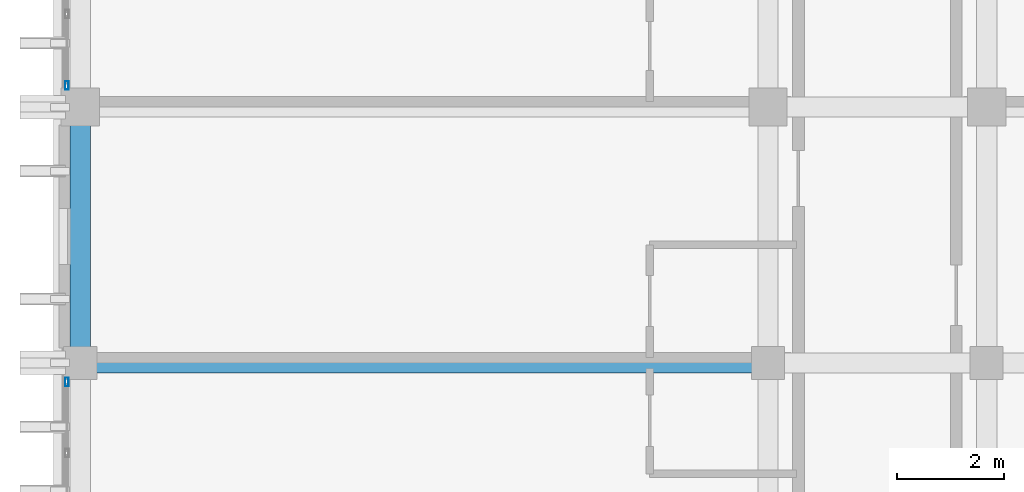
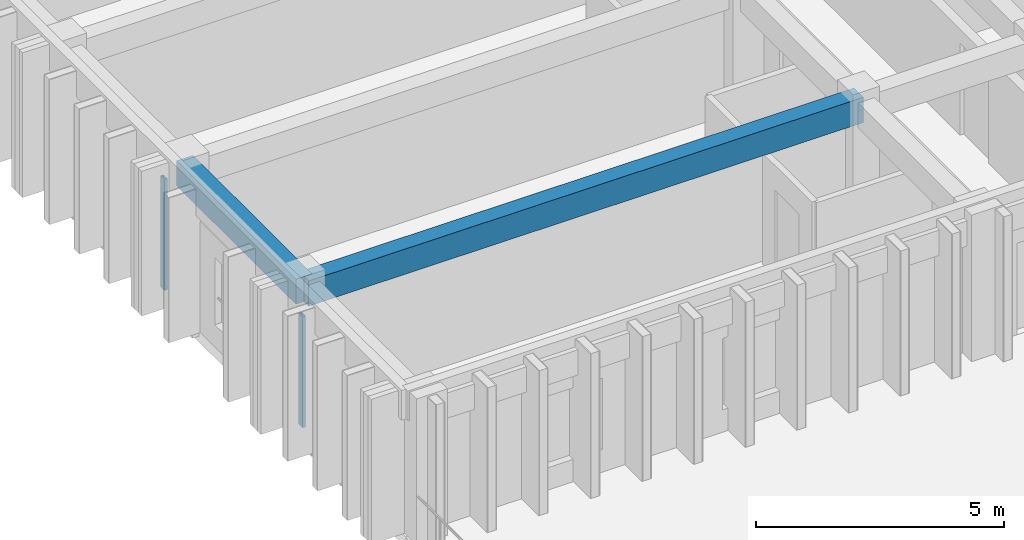
# One storey, part 4 of 59: 2 beams, 2 members, 2 elements without a shape of their own.
"""IFC4 building model written with IfcOpenShell, lengths in metres."""

from ifc_helpers import new_model, si_unit, direction, frame, origin, origin_2d, place, context, subcontext, project, spatial, rectangle, hollow_rectangle, extrude, material, layer, layer_set, material_profile, profile_set, type_object, element, aggregate, save


model = new_model("IFC4")

# Units and contexts
model_context = context("Model", 3, precision=1e-05, world=origin(), true_north=direction((0.0, 1.0)))
body_context = subcontext(model_context, "Body", "Model", "MODEL_VIEW")
ifc_project = project(units=[si_unit("LENGTHUNIT", "METRE"), si_unit("AREAUNIT", "SQUARE_METRE"), si_unit("VOLUMEUNIT", "CUBIC_METRE"), si_unit("PLANEANGLEUNIT", "RADIAN"), si_unit("MASSUNIT", "GRAM", prefix="KILO")], contexts=[model_context])

# Site, building, storey
site_placement = place(None, origin())
site = spatial("IfcSite", under=ifc_project, at=site_placement, CompositionType="ELEMENT")
building_placement = place(site_placement, origin())
building = spatial("IfcBuilding", under=site, at=building_placement, Name="Nakhvara Creek Congress Hotel", CompositionType="ELEMENT")
storey_placement = place(building_placement, frame((0.0, 0.0, 31.800048828125)))
storey = spatial("IfcBuildingStorey", under=building, at=storey_placement, Name="L07", CompositionType="ELEMENT", Elevation=31.800048828125)

# Beams
ifc_material_1 = material(Name="Concrete C40/50", Category="concrete")
ifc_material_profile_1 = material_profile(ifc_material_1, rectangle(XDim=0.3798828125, YDim=0.6201171875, at=origin_2d()), Name="RC-BM 380x620", Category="LoadBearing")
ifc_profile_set_1 = profile_set([ifc_material_profile_1], Name="Concrete C40/50")
beam_type = type_object("IfcBeamType", Name="BM-RC-380X620", PredefinedType="BEAM", material=ifc_profile_set_1)
beam_1_placement = place(storey_placement, frame((149.449951171875, 52.800048828125, 3.050048828125), z_axis=(0.0, 1.0, 0.0), x_axis=(-1.0, 0.0, 0.0)))
element("IfcBeam", 1, at=beam_1_placement, inside=storey, type_object=beam_type, Name="Beam B10-L07-2321", PredefinedType="BEAM", context=body_context, shape_type="SweptSolid", body=[
    extrude(rectangle(XDim=0.3798828125, YDim=0.6201171875, at=origin_2d()), origin(), (0.0, 0.0, 1.0), 4.800048828125),
])
beam_2_placement = place(storey_placement, frame((149.449951171875, 52.800048828125, 3.050048828125), z_axis=(1.0, 0.0, 0.0), x_axis=(0.0, 1.0, 0.0)))
element("IfcBeam", 2, at=beam_2_placement, inside=storey, type_object=beam_type, Name="Beam B10-L07-2407", PredefinedType="BEAM", context=body_context, shape_type="SweptSolid", body=[
    extrude(rectangle(XDim=0.3798828125, YDim=0.6201171875, at=origin_2d()), origin(), (0.0, 0.0, 1.0), 12.900146484375),
])

# Curtain wall, member
ifc_material_2 = material(Name="Bronze-anodised aluminium AW-6063-T6 and double-silver low-E glass", Category="aluminium")
ifc_layer = layer(ifc_material_2, 0.199951171875)
ifc_layer_set = layer_set([ifc_layer], Name="Bronze-anodised aluminium AW-6063-T6 and double-silver low-E glass")
curtain_wall_type = type_object("IfcCurtainWallType", Name="CW-HTL-UNIT", PredefinedType="USERDEFINED", material=ifc_layer_set)
curtain_wall_1_placement = place(storey_placement, origin())
curtain_wall_1 = element("IfcCurtainWall", 3, at=curtain_wall_1_placement, inside=storey, type_object=curtain_wall_type, Name="Curtain Wall CW254", ObjectType="UNITISED", PredefinedType="USERDEFINED")
ifc_material_3 = material(Name="Bronze-anodised aluminium AW-6063-T6", Category="aluminium")
ifc_material_profile_2 = material_profile(ifc_material_3, hollow_rectangle(XDim=0.06494140625, YDim=0.159912109375, WallThickness=0.00390625, at=origin_2d()), Name="ALU-MULL 65x160x4", Category="LoadBearing")
ifc_profile_set_2 = profile_set([ifc_material_profile_2], Name="Bronze-anodised aluminium AW-6063-T6")
member_type = type_object("IfcMemberType", Name="CW-MULL-160", PredefinedType="MULLION", material=ifc_profile_set_2)
member_1_placement = place(storey_placement, frame((149.199951171875, 52.4423828125, 0.0), z_axis=(0.0, 0.0, 1.0), x_axis=(-1.0, 0.0, 0.0)))
member_1 = element("IfcMember", 4, at=member_1_placement, type_object=member_type, Name="CW254 mullion 4", PredefinedType="MULLION", context=body_context, shape_type="SweptSolid", body=[
    extrude(hollow_rectangle(XDim=0.06494140625, YDim=0.159912109375, WallThickness=0.00390625, at=origin_2d()), origin(), (0.0, 0.0, 1.0), 2.73193359375),
])
aggregate(curtain_wall_1, [member_1])

curtain_wall_2_placement = place(storey_placement, origin())
curtain_wall_2 = element("IfcCurtainWall", 5, at=curtain_wall_2_placement, inside=storey, type_object=curtain_wall_type, Name="Curtain Wall CW256", ObjectType="UNITISED", PredefinedType="USERDEFINED")
member_2_placement = place(storey_placement, frame((149.199951171875, 58.007568359375, 0.0), z_axis=(0.0, 0.0, 1.0), x_axis=(-1.0, 0.0, 0.0)))
member_2 = element("IfcMember", 6, at=member_2_placement, type_object=member_type, Name="CW256 mullion 1", PredefinedType="MULLION", context=body_context, shape_type="SweptSolid", body=[
    extrude(hollow_rectangle(XDim=0.06494140625, YDim=0.159912109375, WallThickness=0.00390625, at=origin_2d()), origin(), (0.0, 0.0, 1.0), 2.73193359375),
])
aggregate(curtain_wall_2, [member_2])

save(model, "model.ifc")
